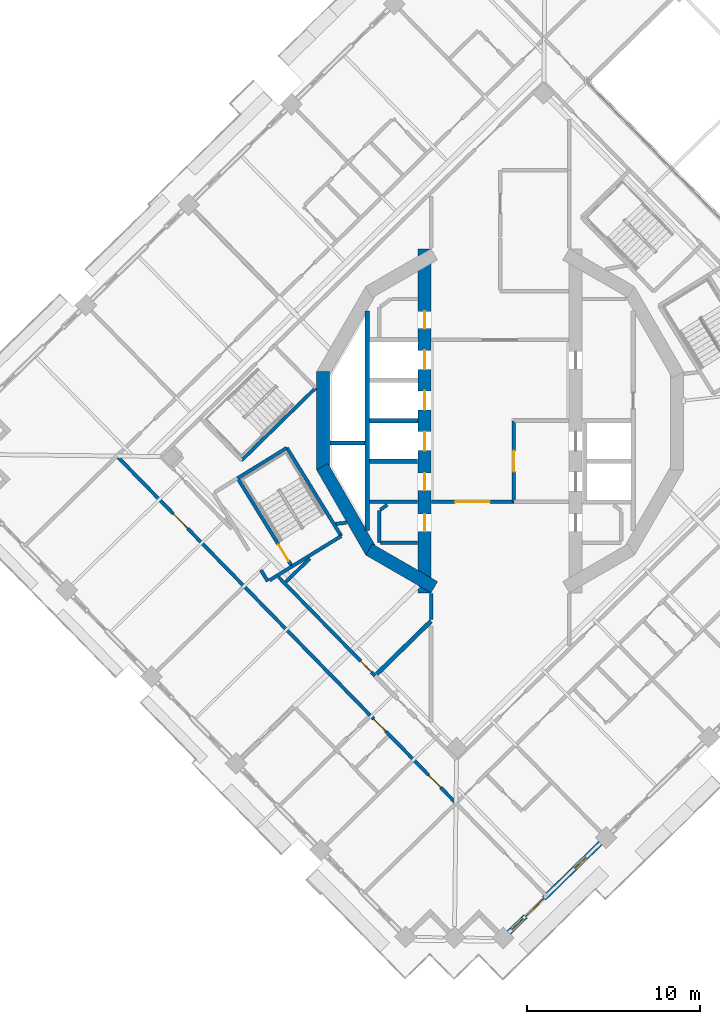
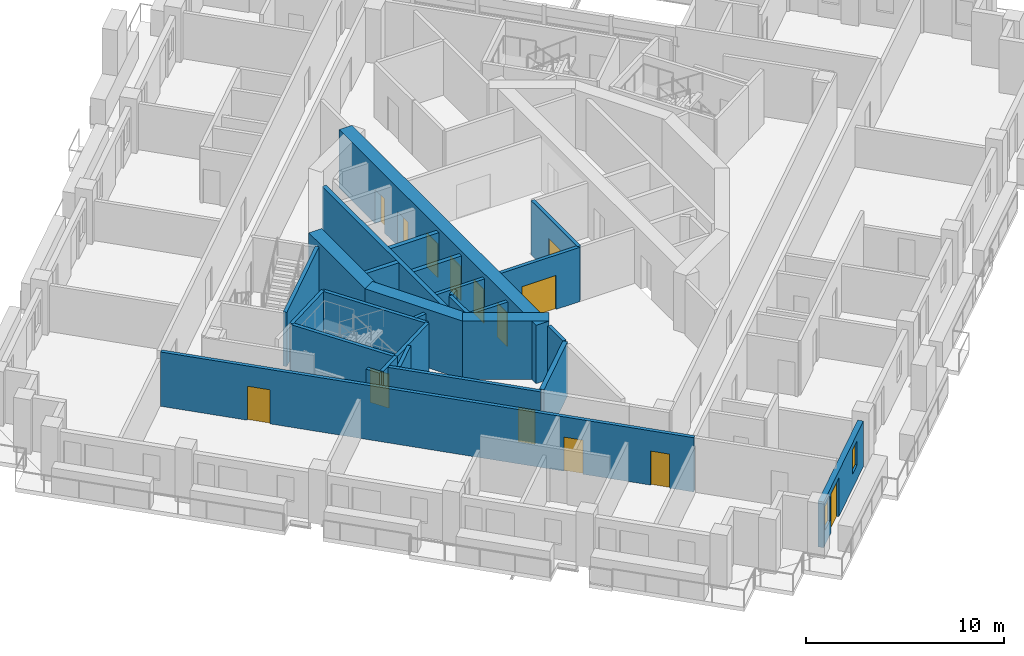
# One storey, part 8 of 20: 28 walls, 14 doors, 2 windows, 16 openings.
"""IFC4 building model written with IfcOpenShell, lengths in metres."""

from ifc_helpers import new_model, si_unit, direction, frame, frame_2d, origin, place, context, subcontext, project, spatial, rectangle, extrude, material, layer, layer_set, type_object, element, fill, save


model = new_model("IFC4")

# Units and contexts
model_context = context("Model", 3, precision=1e-05, world=origin(), true_north=direction((0.0, 1.0)))
body_context = subcontext(model_context, "Body", "Model", "MODEL_VIEW")
ifc_project = project(units=[si_unit("LENGTHUNIT", "METRE"), si_unit("AREAUNIT", "SQUARE_METRE"), si_unit("VOLUMEUNIT", "CUBIC_METRE"), si_unit("PLANEANGLEUNIT", "RADIAN"), si_unit("MASSUNIT", "GRAM", prefix="KILO")], contexts=[model_context])

# Site, building, storey
site_placement = place(None, origin())
site = spatial("IfcSite", under=ifc_project, at=site_placement, CompositionType="ELEMENT")
building_placement = place(site_placement, origin())
building = spatial("IfcBuilding", under=site, at=building_placement, Name="Cantera Rosa Tower", CompositionType="ELEMENT")
storey_placement = place(building_placement, frame((0.0, 0.0, 212.60009765625)))
storey = spatial("IfcBuildingStorey", under=building, at=storey_placement, Name="L45", CompositionType="ELEMENT", Elevation=212.60009765625)

# Wall, openings, doors
ifc_material_1 = material(Name="Gypsum board partition")
ifc_layer_1 = layer(ifc_material_1, 0.199951171875)
ifc_layer_set_1 = layer_set([ifc_layer_1], Name="CORRIDOR WALL 200 H3350")
wall_type_1 = type_object("IfcWallType", Name="CORRIDOR WALL 200 H3350", PredefinedType="PARTITIONING", material=ifc_layer_set_1)
wall_1_placement = place(storey_placement, frame((-22.109130859375, -2.125732421875, 0.0), z_axis=(0.0, 0.0, 1.0), x_axis=(0.698826334324, -0.715291377311, 0.0)))
wall_1 = element("IfcWall", 1, at=wall_1_placement, inside=storey, type_object=wall_type_1, Name="CORRIDOR WALL L45-002", PredefinedType="PARTITIONING", context=body_context, shape_type="SweptSolid", body=[
    extrude(rectangle(XDim=27.97998046875, YDim=0.199951171875, at=frame_2d((13.989990234375, 0.0))), origin(), (0.0, 0.0, 1.0), 3.349853515625),
])
opening_1_placement = place(wall_1_placement, frame((4.550048828125, 0.0, 0.0)))
opening_1 = element("IfcOpeningElement", 2, at=opening_1_placement, cuts=wall_1, Name="Opening L45-038", PredefinedType="OPENING", context=body_context, shape_type="SweptSolid", body=[
    extrude(rectangle(XDim=1.199951171875, YDim=2.10009765625, at=frame_2d((0.60009765625, 1.050048828125))), frame((0.0, 0.10986328125, 0.0), z_axis=(0.0, -1.0, 0.0), x_axis=(1.0, 0.0, 0.0)), (0.0, 0.0, 1.0), 0.219970703125),
])
opening_2_placement = place(wall_1_placement, frame((21.159912109375, 0.0, 0.0)))
opening_2 = element("IfcOpeningElement", 3, at=opening_2_placement, cuts=wall_1, Name="Opening L45-039", PredefinedType="OPENING", context=body_context, shape_type="SweptSolid", body=[
    extrude(rectangle(XDim=1.0, YDim=2.10009765625, at=frame_2d((0.5, 1.050048828125))), frame((0.0, 0.10986328125, 0.0), z_axis=(0.0, -1.0, 0.0), x_axis=(1.0, 0.0, 0.0)), (0.0, 0.0, 1.0), 0.219970703125),
])
opening_3_placement = place(wall_1_placement, frame((25.719970703125, 0.0, 0.0)))
opening_3 = element("IfcOpeningElement", 4, at=opening_3_placement, cuts=wall_1, Name="Opening L45-044", PredefinedType="OPENING", context=body_context, shape_type="SweptSolid", body=[
    extrude(rectangle(XDim=1.0, YDim=2.10009765625, at=frame_2d((0.5, 1.050048828125))), frame((0.0, 0.10986328125, 0.0), z_axis=(0.0, -1.0, 0.0), x_axis=(1.0, 0.0, 0.0)), (0.0, 0.0, 1.0), 0.219970703125),
])
ifc_material_2 = material(Name="Timber door leaf", Category="wood")
door_type_1 = type_object("IfcDoorType", Name="ENTRANCE DOOR 1000x2100", OperationType="NOTDEFINED", PredefinedType="DOOR", material=ifc_material_2)
door_1_placement = place(opening_2_placement, origin())
door_1 = element("IfcDoor", 5, at=door_1_placement, inside=storey, type_object=door_type_1, Name="DOOR L45-039", OperationType="NOTDEFINED", OverallHeight=2.10009765625, OverallWidth=1.0, PredefinedType="DOOR", context=body_context, shape_type="SweptSolid", body=[
    extrude(rectangle(XDim=1.0, YDim=2.10009765625, at=frame_2d((0.5, 1.050048828125))), frame((0.0, 0.02490234375, 0.0), z_axis=(0.0, -1.0, 0.0), x_axis=(1.0, 0.0, 0.0)), (0.0, 0.0, 1.0), 0.050048828125),
])
fill(opening_2, door_1)
ifc_material_3 = material(Name="Timber door leaf", Category="wood")
door_type_2 = type_object("IfcDoorType", Name="ROOM DOOR 1000x2100", OperationType="NOTDEFINED", PredefinedType="DOOR", material=ifc_material_3)
door_2_placement = place(opening_3_placement, origin())
door_2 = element("IfcDoor", 6, at=door_2_placement, inside=storey, type_object=door_type_2, Name="DOOR L45-044", OperationType="NOTDEFINED", OverallHeight=2.10009765625, OverallWidth=1.0, PredefinedType="DOOR", context=body_context, shape_type="SweptSolid", body=[
    extrude(rectangle(XDim=1.0, YDim=2.10009765625, at=frame_2d((0.5, 1.050048828125))), frame((0.0, 0.02490234375, 0.0), z_axis=(0.0, -1.0, 0.0), x_axis=(1.0, 0.0, 0.0)), (0.0, 0.0, 1.0), 0.050048828125),
])
fill(opening_3, door_2)
ifc_material_4 = material(Name="Timber door leaf", Category="wood")
door_type_3 = type_object("IfcDoorType", Name="ROOM DOOR 1200x2100", OperationType="NOTDEFINED", PredefinedType="DOOR", material=ifc_material_4)
door_3_placement = place(opening_1_placement, origin())
door_3 = element("IfcDoor", 7, at=door_3_placement, inside=storey, type_object=door_type_3, Name="DOOR L45-038", OperationType="NOTDEFINED", OverallHeight=2.10009765625, OverallWidth=1.199951171875, PredefinedType="DOOR", context=body_context, shape_type="SweptSolid", body=[
    extrude(rectangle(XDim=1.199951171875, YDim=2.10009765625, at=frame_2d((0.60009765625, 1.050048828125))), frame((0.0, 0.02490234375, 0.0), z_axis=(0.0, -1.0, 0.0), x_axis=(1.0, 0.0, 0.0)), (0.0, 0.0, 1.0), 0.050048828125),
])
fill(opening_1, door_3)

# Walls
wall_2_placement = place(storey_placement, frame((-13.8525390625, -8.64501953125, 0.0), z_axis=(0.0, 0.0, 1.0), x_axis=(0.52482706305, -0.851208877944, 0.0)))
element("IfcWall", 8, at=wall_2_placement, inside=storey, type_object=wall_type_1, Name="CORRIDOR WALL L45-010", PredefinedType="PARTITIONING", context=body_context, shape_type="SweptSolid", body=[
    extrude(rectangle(XDim=0.76513671875, YDim=0.199951171875, at=frame_2d((0.382568359375, 0.0))), origin(), (0.0, 0.0, 1.0), 3.349853515625),
])
wall_3_placement = place(storey_placement, frame((-13.3486328125, -9.2333984375, 0.0), z_axis=(0.0, 0.0, 1.0), x_axis=(0.851042101438, 0.525097459126, 0.0)))
element("IfcWall", 9, at=wall_3_placement, inside=storey, type_object=wall_type_1, Name="CORRIDOR WALL L45-016", PredefinedType="PARTITIONING", context=body_context, shape_type="SweptSolid", body=[
    extrude(rectangle(XDim=1.52490234375, YDim=0.199951171875, at=frame_2d((0.762451171875, 0.0))), origin(), (0.0, 0.0, 1.0), 3.349853515625),
])

# Wall, opening, door
wall_4_placement = place(storey_placement, frame((-12.828125, -9.0498046875, 0.0), z_axis=(0.0, 0.0, 1.0), x_axis=(0.698825688906, -0.715292007871, 0.0)))
wall_4 = element("IfcWall", 10, at=wall_4_placement, inside=storey, type_object=wall_type_1, Name="CORRIDOR WALL L45-019", PredefinedType="PARTITIONING", context=body_context, shape_type="SweptSolid", body=[
    extrude(rectangle(XDim=7.991455078125, YDim=0.199951171875, at=frame_2d((3.99560546875, 0.0))), origin(), (0.0, 0.0, 1.0), 3.349853515625),
])
opening_4_placement = place(wall_4_placement, frame((6.79150390625, 0.0, 0.0)))
opening_4 = element("IfcOpeningElement", 11, at=opening_4_placement, cuts=wall_4, Name="Opening L45-009", PredefinedType="OPENING", context=body_context, shape_type="SweptSolid", body=[
    extrude(rectangle(XDim=0.89990234375, YDim=2.10009765625, at=frame_2d((0.449951171875, 1.050048828125))), frame((0.0, 0.10986328125, 0.0), z_axis=(0.0, -1.0, 0.0), x_axis=(1.0, 0.0, 0.0)), (0.0, 0.0, 1.0), 0.219970703125),
])
ifc_material_5 = material(Name="Timber door leaf", Category="wood")
door_type_4 = type_object("IfcDoorType", Name="SERVICE DOOR 900x2100", OperationType="NOTDEFINED", PredefinedType="DOOR", material=ifc_material_5)
door_4_placement = place(opening_4_placement, origin())
door_4 = element("IfcDoor", 12, at=door_4_placement, inside=storey, type_object=door_type_4, Name="DOOR L45-009", OperationType="NOTDEFINED", OverallHeight=2.10009765625, OverallWidth=0.89990234375, PredefinedType="DOOR", context=body_context, shape_type="SweptSolid", body=[
    extrude(rectangle(XDim=0.89990234375, YDim=2.10009765625, at=frame_2d((0.449951171875, 1.050048828125))), frame((0.0, 0.02490234375, 0.0), z_axis=(0.0, -1.0, 0.0), x_axis=(1.0, 0.0, 0.0)), (0.0, 0.0, 1.0), 0.050048828125),
])
fill(opening_4, door_4)

# Wall
wall_5_placement = place(storey_placement, frame((-4.0, -9.994140625, 0.0), z_axis=(0.0, 0.0, 1.0), x_axis=(0.0, -1.0, 0.0)))
element("IfcWall", 13, at=wall_5_placement, inside=storey, type_object=wall_type_1, Name="CORRIDOR WALL L45-057", PredefinedType="PARTITIONING", context=body_context, shape_type="SweptSolid", body=[
    extrude(rectangle(XDim=1.52294921875, YDim=0.199951171875, at=frame_2d((0.761474609375, 0.0))), origin(), (0.0, 0.0, 1.0), 3.349853515625),
])

# Wall, opening, door
wall_6_placement = place(storey_placement, frame((0.800048828125, -4.699951171875, 0.0), z_axis=(0.0, 0.0, 1.0), x_axis=(-1.0, 0.0, 0.0)))
wall_6 = element("IfcWall", 14, at=wall_6_placement, inside=storey, type_object=wall_type_1, Name="CORRIDOR WALL L45-068", PredefinedType="PARTITIONING", context=body_context, shape_type="SweptSolid", body=[
    extrude(rectangle(XDim=4.77001953125, YDim=0.199951171875, at=frame_2d((2.385009765625, 0.0))), origin(), (0.0, 0.0, 1.0), 3.349853515625),
])
opening_5_placement = place(wall_6_placement, frame((1.39990234375, 0.0, 0.0)))
opening_5 = element("IfcOpeningElement", 15, at=opening_5_placement, cuts=wall_6, Name="Opening L45-015", PredefinedType="OPENING", context=body_context, shape_type="SweptSolid", body=[
    extrude(rectangle(XDim=2.0, YDim=2.10009765625, at=frame_2d((1.0, 1.050048828125))), frame((0.0, 0.10986328125, 0.0), z_axis=(0.0, -1.0, 0.0), x_axis=(1.0, 0.0, 0.0)), (0.0, 0.0, 1.0), 0.219970703125),
])
ifc_material_6 = material(Name="Steel S355J2 (EN 10025-2)", Category="steel")
door_type_5 = type_object("IfcDoorType", Name="LOBBY SCREEN DOOR 2000x2100", OperationType="NOTDEFINED", PredefinedType="DOOR", material=ifc_material_6)
door_5_placement = place(opening_5_placement, origin())
door_5 = element("IfcDoor", 16, at=door_5_placement, inside=storey, type_object=door_type_5, Name="DOOR L45-015", OperationType="NOTDEFINED", OverallHeight=2.10009765625, OverallWidth=2.0, PredefinedType="DOOR", context=body_context, shape_type="SweptSolid", body=[
    extrude(rectangle(XDim=2.0, YDim=2.10009765625, at=frame_2d((1.0, 1.050048828125))), frame((0.0, 0.02490234375, 0.0), z_axis=(0.0, -1.0, 0.0), x_axis=(1.0, 0.0, 0.0)), (0.0, 0.0, 1.0), 0.050048828125),
])
fill(opening_5, door_5)

# Wall, openings, windows, door
ifc_material_7 = material(Name="Hollow clay masonry with cantera stone cladding", Category="masonry")
ifc_layer_2 = layer(ifc_material_7, 0.300048828125)
ifc_layer_set_2 = layer_set([ifc_layer_2], Name="EW-LOGGIA 300 H2820")
wall_type_2 = type_object("IfcWallType", Name="EW-LOGGIA 300 H2820", PredefinedType="SOLIDWALL", material=ifc_layer_set_2)
wall_7_placement = place(storey_placement, frame((0.503662109375, -29.6357421875, 0.0), z_axis=(0.0, 0.0, 1.0), x_axis=(0.715284379566, 0.698833496871, 0.0)))
wall_7 = element("IfcWall", 17, at=wall_7_placement, inside=storey, type_object=wall_type_2, Name="EN-L45-W21", PredefinedType="SOLIDWALL", context=body_context, shape_type="SweptSolid", body=[
    extrude(rectangle(XDim=7.42041015625, YDim=0.300048828125, at=frame_2d((3.710205078125, 0.0))), origin(), (0.0, 0.0, 1.0), 2.81982421875),
])
opening_6_placement = place(wall_7_placement, frame((0.25, 0.0, 0.89990234375)))
opening_6 = element("IfcOpeningElement", 18, at=opening_6_placement, cuts=wall_7, Name="Opening L45-W37", PredefinedType="OPENING", context=body_context, shape_type="SweptSolid", body=[
    extrude(rectangle(XDim=0.89990234375, YDim=1.5, at=frame_2d((0.449951171875, 0.75))), frame((0.0, 0.159912109375, 0.0), z_axis=(0.0, -1.0, 0.0), x_axis=(1.0, 0.0, 0.0)), (0.0, 0.0, 1.0), 0.320068359375),
])
opening_7_placement = place(wall_7_placement, frame((1.35009765625, 0.0, 0.0)))
opening_7 = element("IfcOpeningElement", 19, at=opening_7_placement, cuts=wall_7, Name="Opening L45-TD38", PredefinedType="OPENING", context=body_context, shape_type="SweptSolid", body=[
    extrude(rectangle(XDim=1.5, YDim=2.39990234375, at=frame_2d((0.75, 1.199951171875))), frame((0.0, 0.159912109375, 0.0), z_axis=(0.0, -1.0, 0.0), x_axis=(1.0, 0.0, 0.0)), (0.0, 0.0, 1.0), 0.320068359375),
])
opening_8_placement = place(wall_7_placement, frame((5.340087890625, 0.0, 0.89990234375)))
opening_8 = element("IfcOpeningElement", 20, at=opening_8_placement, cuts=wall_7, Name="Opening L45-W39", PredefinedType="OPENING", context=body_context, shape_type="SweptSolid", body=[
    extrude(rectangle(XDim=0.89990234375, YDim=1.5, at=frame_2d((0.449951171875, 0.75))), frame((0.0, 0.159912109375, 0.0), z_axis=(0.0, -1.0, 0.0), x_axis=(1.0, 0.0, 0.0)), (0.0, 0.0, 1.0), 0.320068359375),
])
ifc_material_8 = material(Name="Aluminium frame with clear glass", Category="aluminium")
window_type = type_object("IfcWindowType", Name="Residential window 900x1500", PartitioningType="SINGLE_PANEL", PredefinedType="WINDOW", material=ifc_material_8)
window_1_placement = place(opening_6_placement, origin())
window_1 = element("IfcWindow", 21, at=window_1_placement, inside=storey, type_object=window_type, Name="WINDOW L45-W37", OverallHeight=1.5, OverallWidth=0.89990234375, PartitioningType="SINGLE_PANEL", PredefinedType="WINDOW", context=body_context, shape_type="SweptSolid", body=[
    extrude(rectangle(XDim=0.89990234375, YDim=1.5, at=frame_2d((0.449951171875, 0.75))), frame((0.0, 0.030029296875, 0.0), z_axis=(0.0, -1.0, 0.0), x_axis=(1.0, 0.0, 0.0)), (0.0, 0.0, 1.0), 0.06005859375),
])
fill(opening_6, window_1)
window_2_placement = place(opening_8_placement, origin())
window_2 = element("IfcWindow", 22, at=window_2_placement, inside=storey, type_object=window_type, Name="WINDOW L45-W39", OverallHeight=1.5, OverallWidth=0.89990234375, PartitioningType="SINGLE_PANEL", PredefinedType="WINDOW", context=body_context, shape_type="SweptSolid", body=[
    extrude(rectangle(XDim=0.89990234375, YDim=1.5, at=frame_2d((0.449951171875, 0.75))), frame((0.0, 0.030029296875, 0.0), z_axis=(0.0, -1.0, 0.0), x_axis=(1.0, 0.0, 0.0)), (0.0, 0.0, 1.0), 0.06005859375),
])
fill(opening_8, window_2)
ifc_material_9 = material(Name="Aluminium frame with clear glass", Category="aluminium")
door_type_6 = type_object("IfcDoorType", Name="TD-R 1500x2400", OperationType="NOTDEFINED", PredefinedType="DOOR", material=ifc_material_9)
door_6_placement = place(opening_7_placement, origin())
door_6 = element("IfcDoor", 23, at=door_6_placement, inside=storey, type_object=door_type_6, Name="LOGGIA DOOR L45-TD38", OperationType="SLIDING_TO_LEFT", OverallHeight=2.39990234375, OverallWidth=1.5, PredefinedType="DOOR", context=body_context, shape_type="SweptSolid", body=[
    extrude(rectangle(XDim=1.5, YDim=2.39990234375, at=frame_2d((0.75, 1.199951171875))), frame((0.0, 0.02490234375, 0.0), z_axis=(0.0, -1.0, 0.0), x_axis=(1.0, 0.0, 0.0)), (0.0, 0.0, 1.0), 0.050048828125),
])
fill(opening_7, door_6)

# Walls
ifc_material_10 = material(Name="Gypsum board partition")
ifc_layer_3 = layer(ifc_material_10, 0.199951171875)
ifc_layer_set_3 = layer_set([ifc_layer_3], Name="PARTITION 200 H3350")
wall_type_3 = type_object("IfcWallType", Name="PARTITION 200 H3350", PredefinedType="PARTITIONING", material=ifc_layer_set_3)
wall_8_placement = place(storey_placement, frame((-12.398681640625, -9.3173828125, 0.0), z_axis=(0.0, 0.0, 1.0), x_axis=(0.715286416819, 0.698831411654, 0.0)))
element("IfcWall", 24, at=wall_8_placement, inside=storey, type_object=wall_type_3, Name="PARTITION L45-022", PredefinedType="PARTITIONING", context=body_context, shape_type="SweptSolid", body=[
    extrude(rectangle(XDim=1.9287109375, YDim=0.199951171875, at=frame_2d((0.96435546875, 0.0))), origin(), (0.0, 0.0, 1.0), 3.349853515625),
])
wall_9_placement = place(storey_placement, frame((-8.8984375, -5.897705078125, 0.0), z_axis=(0.0, 0.0, 1.0), x_axis=(-0.99324363657, -0.11604774196, 0.0)))
element("IfcWall", 25, at=wall_9_placement, inside=storey, type_object=wall_type_3, Name="PARTITION L45-032", PredefinedType="PARTITIONING", context=body_context, shape_type="SweptSolid", body=[
    extrude(rectangle(XDim=0.624755859375, YDim=0.199951171875, at=frame_2d((0.3125, 0.0))), origin(), (0.0, 0.0, 1.0), 3.349853515625),
])
wall_10_placement = place(storey_placement, frame((-7.0, -7.050048828125, 0.0), z_axis=(0.0, 0.0, 1.0), x_axis=(0.0, 1.0, 0.0)))
element("IfcWall", 26, at=wall_10_placement, inside=storey, type_object=wall_type_3, Name="PARTITION L45-043", PredefinedType="PARTITIONING", context=body_context, shape_type="SweptSolid", body=[
    extrude(rectangle(XDim=1.85009765625, YDim=0.199951171875, at=frame_2d((0.925048828125, 0.0))), origin(), (0.0, 0.0, 1.0), 3.349853515625),
])
wall_11_placement = place(storey_placement, frame((-6.935302734375, -5.15283203125, 0.0), z_axis=(0.0, 0.0, 1.0), x_axis=(0.808368872862, 0.588676282338, 0.0)))
element("IfcWall", 27, at=wall_11_placement, inside=storey, type_object=wall_type_3, Name="PARTITION L45-044", PredefinedType="PARTITIONING", context=body_context, shape_type="SweptSolid", body=[
    extrude(rectangle(XDim=0.489013671875, YDim=0.199951171875, at=frame_2d((0.24462890625, 0.0))), origin(), (0.0, 0.0, 1.0), 3.349853515625),
])
wall_12_placement = place(storey_placement, frame((-4.780029296875, -7.050048828125, 0.0), z_axis=(0.0, 0.0, 1.0), x_axis=(-1.0, 0.0, 0.0)))
element("IfcWall", 28, at=wall_12_placement, inside=storey, type_object=wall_type_3, Name="PARTITION L45-052", PredefinedType="PARTITIONING", context=body_context, shape_type="SweptSolid", body=[
    extrude(rectangle(XDim=2.139892578125, YDim=0.199951171875, at=frame_2d((1.06982421875, 0.0))), origin(), (0.0, 0.0, 1.0), 3.349853515625),
])
wall_13_placement = place(storey_placement, frame((-4.780029296875, -4.699951171875, 0.0), z_axis=(0.0, 0.0, 1.0), x_axis=(-1.0, 0.0, 0.0)))
element("IfcWall", 29, at=wall_13_placement, inside=storey, type_object=wall_type_3, Name="PARTITION L45-053", PredefinedType="PARTITIONING", context=body_context, shape_type="SweptSolid", body=[
    extrude(rectangle(XDim=2.794921875, YDim=0.199951171875, at=frame_2d((1.3974609375, 0.0))), origin(), (0.0, 0.0, 1.0), 3.349853515625),
])
ifc_material_11 = material(Name="Concrete C60/75", Category="concrete")
ifc_layer_4 = layer(ifc_material_11, 0.75)
ifc_layer_set_4 = layer_set([ifc_layer_4], Name="RC CORE WALL 750 C60/75")
wall_type_4 = type_object("IfcWallType", Name="RC CORE WALL 750 C60/75", PredefinedType="SHEAR", material=ifc_layer_set_4)
wall_14_placement = place(storey_placement, frame((-3.8125, -9.634765625, 0.0), z_axis=(0.0, 0.0, 1.0), x_axis=(-0.866013176292, 0.50002117804, 0.0)))
element("IfcWall", 30, at=wall_14_placement, inside=storey, type_object=wall_type_4, Name="CW-W1 L45", PredefinedType="SHEAR", context=body_context, shape_type="SweptSolid", body=[
    extrude(rectangle(XDim=4.362548828125, YDim=0.75, at=frame_2d((2.18115234375, 0.0))), origin(), (0.0, 0.0, 1.0), 3.599853515625),
])
wall_15_placement = place(storey_placement, frame((-7.453369140625, -7.590576171875, 0.0), z_axis=(0.0, 0.0, 1.0), x_axis=(-0.500021842983, 0.866012792365, 0.0)))
element("IfcWall", 31, at=wall_15_placement, inside=storey, type_object=wall_type_4, Name="CW-W2 L45", PredefinedType="SHEAR", context=body_context, shape_type="SweptSolid", body=[
    extrude(rectangle(XDim=5.694091796875, YDim=0.75, at=frame_2d((2.84716796875, 0.0))), origin(), (0.0, 0.0, 1.0), 3.599853515625),
])
wall_16_placement = place(storey_placement, frame((-10.250244140625, -2.846923828125, 0.0), z_axis=(0.0, 0.0, 1.0), x_axis=(0.0, 1.0, 0.0)))
element("IfcWall", 32, at=wall_16_placement, inside=storey, type_object=wall_type_4, Name="CW-W3 L45", PredefinedType="SHEAR", context=body_context, shape_type="SweptSolid", body=[
    extrude(rectangle(XDim=5.69384765625, YDim=0.75, at=frame_2d((2.846923828125, 0.0))), origin(), (0.0, 0.0, 1.0), 3.599853515625),
])

# Wall, openings, doors
wall_17_placement = place(storey_placement, frame((-4.375, 9.95947265625, 0.0), z_axis=(0.0, 0.0, 1.0), x_axis=(0.0, -1.0, 0.0)))
wall_17 = element("IfcWall", 33, at=wall_17_placement, inside=storey, type_object=wall_type_4, Name="CW-W6 L45", PredefinedType="SHEAR", context=body_context, shape_type="SweptSolid", body=[
    extrude(rectangle(XDim=19.9189453125, YDim=0.75, at=frame_2d((9.95947265625, 0.0))), origin(), (0.0, 0.0, 1.0), 3.599853515625),
])
opening_9_placement = place(wall_17_placement, frame((10.58447265625, 0.0, 0.0)))
opening_9 = element("IfcOpeningElement", 34, at=opening_9_placement, cuts=wall_17, Name="Opening LD-H1-L45", PredefinedType="OPENING", context=body_context, shape_type="SweptSolid", body=[
    extrude(rectangle(XDim=1.10009765625, YDim=2.10009765625, at=frame_2d((0.550048828125, 1.050048828125))), frame((0.0, 0.385009765625, 0.0), z_axis=(0.0, -1.0, 0.0), x_axis=(1.0, 0.0, 0.0)), (0.0, 0.0, 1.0), 0.77001953125),
])
opening_10_placement = place(wall_17_placement, frame((8.234619140625, 0.0, 0.0)))
opening_10 = element("IfcOpeningElement", 35, at=opening_10_placement, cuts=wall_17, Name="Opening LD-H2-L45", PredefinedType="OPENING", context=body_context, shape_type="SweptSolid", body=[
    extrude(rectangle(XDim=1.10009765625, YDim=2.10009765625, at=frame_2d((0.550048828125, 1.050048828125))), frame((0.0, 0.385009765625, 0.0), z_axis=(0.0, -1.0, 0.0), x_axis=(1.0, 0.0, 0.0)), (0.0, 0.0, 1.0), 0.77001953125),
])
opening_11_placement = place(wall_17_placement, frame((5.884521484375, 0.0, 0.0)))
opening_11 = element("IfcOpeningElement", 36, at=opening_11_placement, cuts=wall_17, Name="Opening LD-H3-L45", PredefinedType="OPENING", context=body_context, shape_type="SweptSolid", body=[
    extrude(rectangle(XDim=1.10009765625, YDim=2.10009765625, at=frame_2d((0.550048828125, 1.050048828125))), frame((0.0, 0.385009765625, 0.0), z_axis=(0.0, -1.0, 0.0), x_axis=(1.0, 0.0, 0.0)), (0.0, 0.0, 1.0), 0.77001953125),
])
opening_12_placement = place(wall_17_placement, frame((15.368408203125, 0.0, 0.0)))
opening_12 = element("IfcOpeningElement", 37, at=opening_12_placement, cuts=wall_17, Name="Opening SD-L45-18", PredefinedType="OPENING", context=body_context, shape_type="SweptSolid", body=[
    extrude(rectangle(XDim=1.0, YDim=2.10009765625, at=frame_2d((0.5, 1.050048828125))), frame((0.0, 0.385009765625, 0.0), z_axis=(0.0, -1.0, 0.0), x_axis=(1.0, 0.0, 0.0)), (0.0, 0.0, 1.0), 0.77001953125),
])
opening_13_placement = place(wall_17_placement, frame((3.618408203125, 0.0, 0.0)))
opening_13 = element("IfcOpeningElement", 38, at=opening_13_placement, cuts=wall_17, Name="Opening SD-L45-19", PredefinedType="OPENING", context=body_context, shape_type="SweptSolid", body=[
    extrude(rectangle(XDim=1.0, YDim=2.10009765625, at=frame_2d((0.5, 1.050048828125))), frame((0.0, 0.385009765625, 0.0), z_axis=(0.0, -1.0, 0.0), x_axis=(1.0, 0.0, 0.0)), (0.0, 0.0, 1.0), 0.77001953125),
])
opening_14_placement = place(wall_17_placement, frame((12.984619140625, 0.0, 0.0)))
opening_14 = element("IfcOpeningElement", 39, at=opening_14_placement, cuts=wall_17, Name="Opening SD-L45-20", PredefinedType="OPENING", context=body_context, shape_type="SweptSolid", body=[
    extrude(rectangle(XDim=1.0, YDim=2.10009765625, at=frame_2d((0.5, 1.050048828125))), frame((0.0, 0.385009765625, 0.0), z_axis=(0.0, -1.0, 0.0), x_axis=(1.0, 0.0, 0.0)), (0.0, 0.0, 1.0), 0.77001953125),
])
ifc_material_12 = material(Name="Steel S355J2 (EN 10025-2)", Category="steel")
door_type_7 = type_object("IfcDoorType", Name="LANDING DOOR 1100x2100", OperationType="NOTDEFINED", PredefinedType="DOOR", material=ifc_material_12)
door_7_placement = place(opening_9_placement, origin())
door_7 = element("IfcDoor", 40, at=door_7_placement, inside=storey, type_object=door_type_7, Name="LANDING DOOR H1 L45", OperationType="SLIDING_TO_LEFT", OverallHeight=2.10009765625, OverallWidth=1.10009765625, PredefinedType="DOOR", context=body_context, shape_type="SweptSolid", body=[
    extrude(rectangle(XDim=1.10009765625, YDim=2.10009765625, at=frame_2d((0.550048828125, 1.050048828125))), frame((0.0, 0.02490234375, 0.0), z_axis=(0.0, -1.0, 0.0), x_axis=(1.0, 0.0, 0.0)), (0.0, 0.0, 1.0), 0.050048828125),
])
fill(opening_9, door_7)
door_8_placement = place(opening_10_placement, origin())
door_8 = element("IfcDoor", 41, at=door_8_placement, inside=storey, type_object=door_type_7, Name="LANDING DOOR H2 L45", OperationType="SLIDING_TO_LEFT", OverallHeight=2.10009765625, OverallWidth=1.10009765625, PredefinedType="DOOR", context=body_context, shape_type="SweptSolid", body=[
    extrude(rectangle(XDim=1.10009765625, YDim=2.10009765625, at=frame_2d((0.550048828125, 1.050048828125))), frame((0.0, 0.02490234375, 0.0), z_axis=(0.0, -1.0, 0.0), x_axis=(1.0, 0.0, 0.0)), (0.0, 0.0, 1.0), 0.050048828125),
])
fill(opening_10, door_8)
door_9_placement = place(opening_11_placement, origin())
door_9 = element("IfcDoor", 42, at=door_9_placement, inside=storey, type_object=door_type_7, Name="LANDING DOOR H3 L45", OperationType="SLIDING_TO_LEFT", OverallHeight=2.10009765625, OverallWidth=1.10009765625, PredefinedType="DOOR", context=body_context, shape_type="SweptSolid", body=[
    extrude(rectangle(XDim=1.10009765625, YDim=2.10009765625, at=frame_2d((0.550048828125, 1.050048828125))), frame((0.0, 0.02490234375, 0.0), z_axis=(0.0, -1.0, 0.0), x_axis=(1.0, 0.0, 0.0)), (0.0, 0.0, 1.0), 0.050048828125),
])
fill(opening_11, door_9)
ifc_material_13 = material(Name="Timber door leaf", Category="wood")
door_type_8 = type_object("IfcDoorType", Name="SERVICE DOOR 1000x2100", OperationType="NOTDEFINED", PredefinedType="DOOR", material=ifc_material_13)
door_10_placement = place(opening_12_placement, origin())
door_10 = element("IfcDoor", 43, at=door_10_placement, inside=storey, type_object=door_type_8, Name="DOOR L45-SD18", OperationType="NOTDEFINED", OverallHeight=2.10009765625, OverallWidth=1.0, PredefinedType="DOOR", context=body_context, shape_type="SweptSolid", body=[
    extrude(rectangle(XDim=1.0, YDim=2.10009765625, at=frame_2d((0.5, 1.050048828125))), frame((0.0, 0.02490234375, 0.0), z_axis=(0.0, -1.0, 0.0), x_axis=(1.0, 0.0, 0.0)), (0.0, 0.0, 1.0), 0.050048828125),
])
fill(opening_12, door_10)
door_11_placement = place(opening_13_placement, origin())
door_11 = element("IfcDoor", 44, at=door_11_placement, inside=storey, type_object=door_type_8, Name="DOOR L45-SD19", OperationType="NOTDEFINED", OverallHeight=2.10009765625, OverallWidth=1.0, PredefinedType="DOOR", context=body_context, shape_type="SweptSolid", body=[
    extrude(rectangle(XDim=1.0, YDim=2.10009765625, at=frame_2d((0.5, 1.050048828125))), frame((0.0, 0.02490234375, 0.0), z_axis=(0.0, -1.0, 0.0), x_axis=(1.0, 0.0, 0.0)), (0.0, 0.0, 1.0), 0.050048828125),
])
fill(opening_13, door_11)
door_12_placement = place(opening_14_placement, origin())
door_12 = element("IfcDoor", 45, at=door_12_placement, inside=storey, type_object=door_type_8, Name="DOOR L45-SD20", OperationType="NOTDEFINED", OverallHeight=2.10009765625, OverallWidth=1.0, PredefinedType="DOOR", context=body_context, shape_type="SweptSolid", body=[
    extrude(rectangle(XDim=1.0, YDim=2.10009765625, at=frame_2d((0.5, 1.050048828125))), frame((0.0, 0.02490234375, 0.0), z_axis=(0.0, -1.0, 0.0), x_axis=(1.0, 0.0, 0.0)), (0.0, 0.0, 1.0), 0.050048828125),
])
fill(opening_14, door_12)

# Walls
ifc_material_14 = material(Name="Masonry blockwork", Category="masonry")
ifc_layer_5 = layer(ifc_material_14, 0.25)
ifc_layer_set_5 = layer_set([ifc_layer_5], Name="SHAFT WALL 250 H3350")
wall_type_5 = type_object("IfcWallType", Name="SHAFT WALL 250 H3350", PredefinedType="SOLIDWALL", material=ifc_layer_set_5)
wall_18_placement = place(storey_placement, frame((-9.84521484375, -1.28271484375, 0.0), z_axis=(0.0, 0.0, 1.0), x_axis=(1.0, 0.0, 0.0)))
element("IfcWall", 46, at=wall_18_placement, inside=storey, type_object=wall_type_5, Name="SHAFT WALL L45-027", PredefinedType="SOLIDWALL", context=body_context, shape_type="SweptSolid", body=[
    extrude(rectangle(XDim=2.020263671875, YDim=0.25, at=frame_2d((1.01025390625, 0.0))), origin(), (0.0, 0.0, 1.0), 3.349853515625),
])
wall_19_placement = place(storey_placement, frame((-7.574951171875, -2.35009765625, 0.0), z_axis=(0.0, 0.0, 1.0), x_axis=(1.0, 0.0, 0.0)))
element("IfcWall", 47, at=wall_19_placement, inside=storey, type_object=wall_type_5, Name="SHAFT WALL L45-036", PredefinedType="SOLIDWALL", context=body_context, shape_type="SweptSolid", body=[
    extrude(rectangle(XDim=2.794921875, YDim=0.25, at=frame_2d((1.3974609375, 0.0))), origin(), (0.0, 0.0, 1.0), 3.349853515625),
])
wall_20_placement = place(storey_placement, frame((-7.574951171875, 0.0, 0.0), z_axis=(0.0, 0.0, 1.0), x_axis=(1.0, 0.0, 0.0)))
element("IfcWall", 48, at=wall_20_placement, inside=storey, type_object=wall_type_5, Name="SHAFT WALL L45-037", PredefinedType="SOLIDWALL", context=body_context, shape_type="SweptSolid", body=[
    extrude(rectangle(XDim=2.824951171875, YDim=0.25, at=frame_2d((1.41259765625, 0.0))), origin(), (0.0, 0.0, 1.0), 3.349853515625),
])
wall_21_placement = place(storey_placement, frame((-7.699951171875, 6.353515625, 0.0), z_axis=(0.0, 0.0, 1.0), x_axis=(0.0, -1.0, 0.0)))
element("IfcWall", 49, at=wall_21_placement, inside=storey, type_object=wall_type_5, Name="SHAFT WALL L45-040", PredefinedType="SOLIDWALL", context=body_context, shape_type="SweptSolid", body=[
    extrude(rectangle(XDim=12.70703125, YDim=0.25, at=frame_2d((6.353515625, 0.0))), origin(), (0.0, 0.0, 1.0), 3.349853515625),
])
wall_22_placement = place(storey_placement, frame((-4.0, -11.59716796875, 0.0), z_axis=(0.0, 0.0, 1.0), x_axis=(-0.715281237186, -0.698836713209, 0.0)))
element("IfcWall", 50, at=wall_22_placement, inside=storey, type_object=wall_type_5, Name="SHAFT WALL L45-055", PredefinedType="SOLIDWALL", context=body_context, shape_type="SweptSolid", body=[
    extrude(rectangle(XDim=4.39453125, YDim=0.25, at=frame_2d((2.197265625, 0.0))), origin(), (0.0, 0.0, 1.0), 3.349853515625),
])
ifc_material_15 = material(Name="Concrete C50/60", Category="concrete")
ifc_layer_6 = layer(ifc_material_15, 0.199951171875)
ifc_layer_set_6 = layer_set([ifc_layer_6], Name="STAIR WALL 200 H3350")
wall_type_6 = type_object("IfcWallType", Name="STAIR WALL 200 H3350", PredefinedType="SOLIDWALL", material=ifc_layer_set_6)
wall_23_placement = place(storey_placement, frame((-14.975341796875, -2.294677734375, 0.0), z_axis=(0.0, 0.0, 1.0), x_axis=(0.715278260946, 0.698839759471, 0.0)))
element("IfcWall", 51, at=wall_23_placement, inside=storey, type_object=wall_type_6, Name="STAIR WALL L45-014", PredefinedType="SOLIDWALL", context=body_context, shape_type="SweptSolid", body=[
    extrude(rectangle(XDim=6.0, YDim=0.199951171875, at=frame_2d((3.0, 0.0))), origin(), (0.0, 0.0, 1.0), 3.349853515625),
])
wall_24_placement = place(storey_placement, frame((-12.349365234375, -1.5673828125, 0.0), z_axis=(0.0, 0.0, 1.0), x_axis=(-0.85113993661, -0.524938861495, 0.0)))
element("IfcWall", 52, at=wall_24_placement, inside=storey, type_object=wall_type_6, Name="STAIR WALL L45-023", PredefinedType="SOLIDWALL", context=body_context, shape_type="SweptSolid", body=[
    extrude(rectangle(XDim=3.35009765625, YDim=0.199951171875, at=frame_2d((1.675048828125, 0.0))), origin(), (0.0, 0.0, 1.0), 3.349853515625),
])

# Wall, opening, door
wall_25_placement = place(storey_placement, frame((-12.05078125, -8.4326171875, 0.0), z_axis=(0.0, 0.0, 1.0), x_axis=(-0.524982543144, 0.851112994493, 0.0)))
wall_25 = element("IfcWall", 53, at=wall_25_placement, inside=storey, type_object=wall_type_6, Name="STAIR WALL L45-024", PredefinedType="SOLIDWALL", context=body_context, shape_type="SweptSolid", body=[
    extrude(rectangle(XDim=6.0, YDim=0.199951171875, at=frame_2d((3.0, 0.0))), origin(), (0.0, 0.0, 1.0), 3.349853515625),
])
opening_15_placement = place(wall_25_placement, frame((0.375, 0.0, 0.0)))
opening_15 = element("IfcOpeningElement", 54, at=opening_15_placement, cuts=wall_25, Name="Opening L45-005", PredefinedType="OPENING", context=body_context, shape_type="SweptSolid", body=[
    extrude(rectangle(XDim=1.10009765625, YDim=2.10009765625, at=frame_2d((0.550048828125, 1.050048828125))), frame((0.0, 0.10986328125, 0.0), z_axis=(0.0, -1.0, 0.0), x_axis=(1.0, 0.0, 0.0)), (0.0, 0.0, 1.0), 0.219970703125),
])
ifc_material_16 = material(Name="Steel S355J2 (EN 10025-2)", Category="steel")
door_type_9 = type_object("IfcDoorType", Name="STAIR DOOR 1100x2100", OperationType="NOTDEFINED", PredefinedType="DOOR", material=ifc_material_16)
door_13_placement = place(opening_15_placement, origin())
door_13 = element("IfcDoor", 55, at=door_13_placement, inside=storey, type_object=door_type_9, Name="DOOR L45-005", OperationType="NOTDEFINED", OverallHeight=2.10009765625, OverallWidth=1.10009765625, PredefinedType="DOOR", context=body_context, shape_type="SweptSolid", body=[
    extrude(rectangle(XDim=1.10009765625, YDim=2.10009765625, at=frame_2d((0.550048828125, 1.050048828125))), frame((0.0, 0.02490234375, 0.0), z_axis=(0.0, -1.0, 0.0), x_axis=(1.0, 0.0, 0.0)), (0.0, 0.0, 1.0), 0.050048828125),
])
fill(opening_15, door_13)

# Walls
wall_26_placement = place(storey_placement, frame((-9.199462890625, -6.674072265625, 0.0), z_axis=(0.0, 0.0, 1.0), x_axis=(-0.524982543144, 0.851112994493, 0.0)))
element("IfcWall", 56, at=wall_26_placement, inside=storey, type_object=wall_type_6, Name="STAIR WALL L45-030", PredefinedType="SOLIDWALL", context=body_context, shape_type="SweptSolid", body=[
    extrude(rectangle(XDim=6.0, YDim=0.199951171875, at=frame_2d((3.0, 0.0))), origin(), (0.0, 0.0, 1.0), 3.349853515625),
])
wall_27_placement = place(storey_placement, frame((-9.199462890625, -6.674072265625, 0.0), z_axis=(0.0, 0.0, 1.0), x_axis=(-0.85113993661, -0.524938861495, 0.0)))
element("IfcWall", 57, at=wall_27_placement, inside=storey, type_object=wall_type_6, Name="STAIR WALL L45-031", PredefinedType="SOLIDWALL", context=body_context, shape_type="SweptSolid", body=[
    extrude(rectangle(XDim=3.35009765625, YDim=0.199951171875, at=frame_2d((1.675048828125, 0.0))), origin(), (0.0, 0.0, 1.0), 3.349853515625),
])

# Wall, opening, door
wall_28_placement = place(storey_placement, frame((0.800048828125, -4.699951171875, 0.0), z_axis=(0.0, 0.0, 1.0), x_axis=(0.0, 1.0, 0.0)))
wall_28 = element("IfcWall", 58, at=wall_28_placement, inside=storey, type_object=wall_type_6, Name="STAIR WALL L45-069", PredefinedType="SOLIDWALL", context=body_context, shape_type="SweptSolid", body=[
    extrude(rectangle(XDim=4.699951171875, YDim=0.199951171875, at=frame_2d((2.35009765625, 0.0))), origin(), (0.0, 0.0, 1.0), 3.349853515625),
])
opening_16_placement = place(wall_28_placement, frame((1.75, 0.0, 0.0)))
opening_16 = element("IfcOpeningElement", 59, at=opening_16_placement, cuts=wall_28, Name="Opening L45-016", PredefinedType="OPENING", context=body_context, shape_type="SweptSolid", body=[
    extrude(rectangle(XDim=1.199951171875, YDim=2.10009765625, at=frame_2d((0.60009765625, 1.050048828125))), frame((0.0, 0.10986328125, 0.0), z_axis=(0.0, -1.0, 0.0), x_axis=(1.0, 0.0, 0.0)), (0.0, 0.0, 1.0), 0.219970703125),
])
ifc_material_17 = material(Name="Steel S355J2 (EN 10025-2)", Category="steel")
door_type_10 = type_object("IfcDoorType", Name="FIRE DOOR 1200x2100", OperationType="NOTDEFINED", PredefinedType="DOOR", material=ifc_material_17)
door_14_placement = place(opening_16_placement, origin())
door_14 = element("IfcDoor", 60, at=door_14_placement, inside=storey, type_object=door_type_10, Name="DOOR L45-016", OperationType="NOTDEFINED", OverallHeight=2.10009765625, OverallWidth=1.199951171875, PredefinedType="DOOR", context=body_context, shape_type="SweptSolid", body=[
    extrude(rectangle(XDim=1.199951171875, YDim=2.10009765625, at=frame_2d((0.60009765625, 1.050048828125))), frame((0.0, 0.02490234375, 0.0), z_axis=(0.0, -1.0, 0.0), x_axis=(1.0, 0.0, 0.0)), (0.0, 0.0, 1.0), 0.050048828125),
])
fill(opening_16, door_14)

save(model, "model.ifc")
